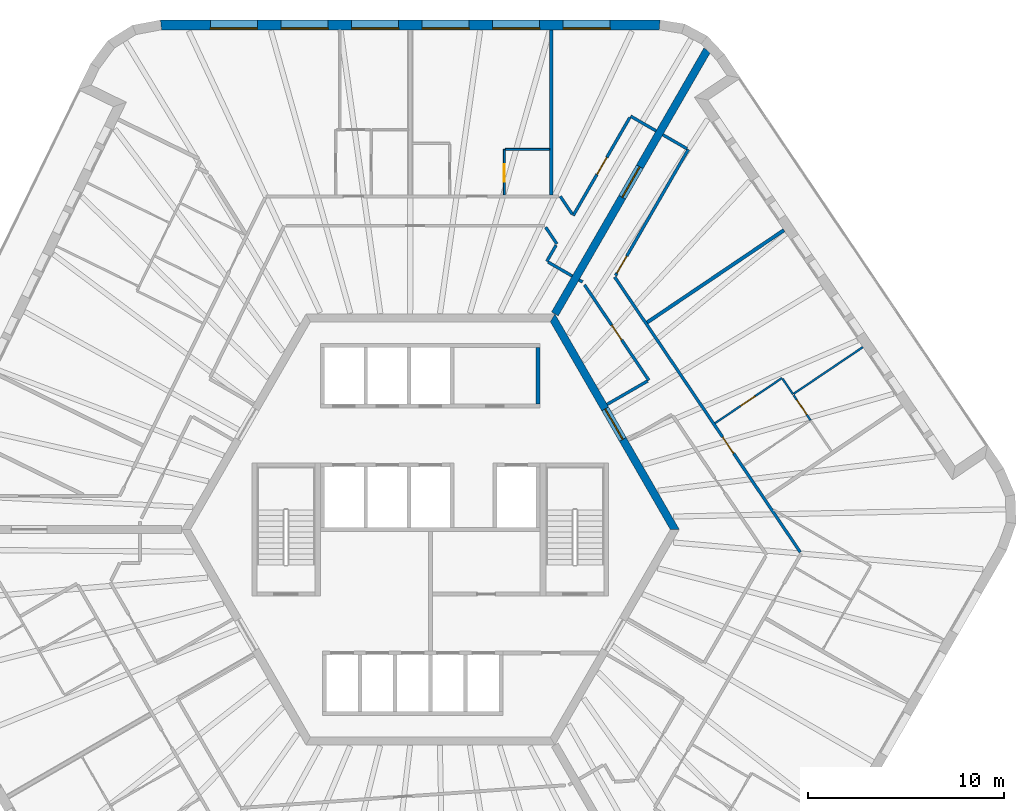
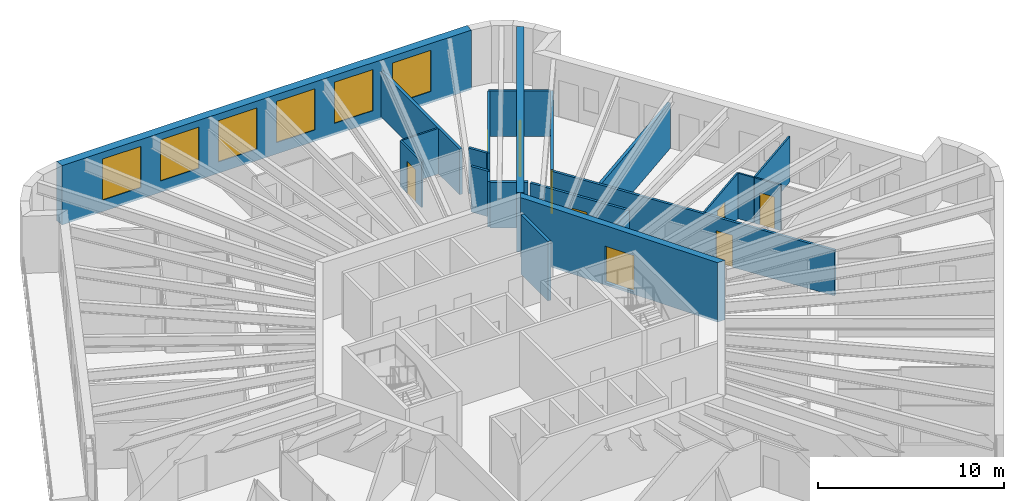
# One storey, part 10 of 12: 24 walls, 9 doors, 6 windows, 15 openings.
"""IFC4 building model written with IfcOpenShell, lengths in metres."""

from ifc_helpers import new_model, si_unit, direction, frame, frame_2d, origin, place, context, subcontext, project, spatial, polyline, rectangle, outline, extrude, material, layer, layer_set, type_object, element, fill, save


model = new_model("IFC4")

# Units and contexts
model_context = context("Model", 3, precision=1e-05, world=origin(), true_north=direction((0.0, 1.0)))
body_context = subcontext(model_context, "Body", "Model", "MODEL_VIEW")
ifc_project = project(units=[si_unit("LENGTHUNIT", "METRE"), si_unit("AREAUNIT", "SQUARE_METRE"), si_unit("VOLUMEUNIT", "CUBIC_METRE"), si_unit("PLANEANGLEUNIT", "RADIAN"), si_unit("MASSUNIT", "GRAM", prefix="KILO")], contexts=[model_context])

# Site, building, storey
site_placement = place(None, origin())
site = spatial("IfcSite", under=ifc_project, at=site_placement, CompositionType="ELEMENT")
building_placement = place(site_placement, origin())
building = spatial("IfcBuilding", under=site, at=building_placement, Name="Tarnside Tower", CompositionType="ELEMENT")
storey_placement = place(building_placement, frame((0.0, 0.0, 299.10009765625)))
storey = spatial("IfcBuildingStorey", under=building, at=storey_placement, Name="L72", CompositionType="ELEMENT", Elevation=299.10009765625)

# Wall, opening, door
ifc_material_1 = material(Name="Concrete C60/75", Category="concrete")
ifc_layer_1 = layer(ifc_material_1, 0.39990234375)
ifc_layer_set_1 = layer_set([ifc_layer_1], Name="Core wall Z3 400 C60/75")
wall_type_1 = type_object("IfcWallType", Name="Core wall Z3 400 C60/75", PredefinedType="SHEAR", material=ifc_layer_set_1)
wall_1_placement = place(storey_placement, frame((12.470703125, 0.0, -0.150146484375), z_axis=(0.0, 0.0, 1.0), x_axis=(-0.499996419489, 0.866027470984, 0.0)))
wall_1 = element("IfcWall", 1, at=wall_1_placement, inside=storey, type_object=wall_type_1, Name="L72 core wall face 6", PredefinedType="SHEAR", context=body_context, shape_type="SweptSolid", body=[
    extrude(outline(polyline([(-0.115478515625, -0.199951171875), (12.586181640625, -0.199951171875), (12.355224609375, 0.199951171875), (0.115478515625, 0.199951171875), (-0.115478515625, -0.199951171875)])), origin(), (0.0, 0.0, 1.0), 3.900146484375),
])
opening_1_placement = place(wall_1_placement, frame((5.306396484375, 0.0, 0.14990234375)))
opening_1 = element("IfcOpeningElement", 2, at=opening_1_placement, cuts=wall_1, Name="Opening CD-LOB", PredefinedType="OPENING", context=body_context, shape_type="SweptSolid", body=[
    extrude(rectangle(XDim=1.800048828125, YDim=2.39990234375, at=frame_2d((0.89990234375, 1.199951171875))), frame((0.0, 0.2099609375, 0.0), z_axis=(0.0, -1.0, 0.0), x_axis=(1.0, 0.0, 0.0)), (0.0, 0.0, 1.0), 0.419921875),
])
ifc_material_2 = material(Name="Steel fire door", Category="steel")
door_type_1 = type_object("IfcDoorType", Name="Lobby double door FD30S 1800x2400", OperationType="NOTDEFINED", PredefinedType="DOOR", material=ifc_material_2)
door_1_placement = place(opening_1_placement, origin())
door_1 = element("IfcDoor", 3, at=door_1_placement, inside=storey, type_object=door_type_1, Name="L72 core door P2", OperationType="DOUBLE_DOOR_SINGLE_SWING", OverallHeight=2.39990234375, OverallWidth=1.800048828125, PredefinedType="DOOR", context=body_context, shape_type="SweptSolid", body=[
    extrude(rectangle(XDim=1.800048828125, YDim=2.39990234375, at=frame_2d((0.89990234375, 1.199951171875))), frame((0.0, 0.02490234375, 0.0), z_axis=(0.0, -1.0, 0.0), x_axis=(1.0, 0.0, 0.0)), (0.0, 0.0, 1.0), 0.050048828125),
])
fill(opening_1, door_1)

wall_2_placement = place(storey_placement, frame((6.350830078125, 11.0, -0.150146484375), z_axis=(0.0, 0.0, 1.0), x_axis=(0.499998894578, 0.866026041999, 0.0)))
wall_2 = element("IfcWall", 4, at=wall_2_placement, inside=storey, type_object=wall_type_1, Name="L72 spine wall 1", PredefinedType="SHEAR", context=body_context, shape_type="SweptSolid", body=[
    extrude(rectangle(XDim=15.54443359375, YDim=0.39990234375, at=frame_2d((7.772216796875, 0.0))), origin(), (0.0, 0.0, 1.0), 3.900146484375),
])
opening_2_placement = place(wall_2_placement, frame((6.872314453125, 0.0, 0.14990234375)))
opening_2 = element("IfcOpeningElement", 5, at=opening_2_placement, cuts=wall_2, Name="Opening CD-SPN", PredefinedType="OPENING", context=body_context, shape_type="SweptSolid", body=[
    extrude(rectangle(XDim=1.800048828125, YDim=2.39990234375, at=frame_2d((0.89990234375, 1.199951171875))), frame((0.0, 0.2099609375, 0.0), z_axis=(0.0, -1.0, 0.0), x_axis=(1.0, 0.0, 0.0)), (0.0, 0.0, 1.0), 0.419921875),
])
door_type_2 = type_object("IfcDoorType", Name="Spine passage double door FD60 1800x2400", OperationType="NOTDEFINED", PredefinedType="DOOR", material=ifc_material_2)
door_2_placement = place(opening_2_placement, origin())
door_2 = element("IfcDoor", 6, at=door_2_placement, inside=storey, type_object=door_type_2, Name="L72 spine passage door 1", OperationType="DOUBLE_DOOR_SINGLE_SWING", OverallHeight=2.39990234375, OverallWidth=1.800048828125, PredefinedType="DOOR", context=body_context, shape_type="SweptSolid", body=[
    extrude(rectangle(XDim=1.800048828125, YDim=2.39990234375, at=frame_2d((0.89990234375, 1.199951171875))), frame((0.0, 0.02490234375, 0.0), z_axis=(0.0, -1.0, 0.0), x_axis=(1.0, 0.0, 0.0)), (0.0, 0.0, 1.0), 0.050048828125),
])
fill(opening_2, door_2)

# Wall
ifc_material_3 = material(Name="Gypsum board partition on steel studs", Category="steel")
ifc_layer_2 = layer(ifc_material_3, 0.14990234375)
ifc_layer_set_2 = layer_set([ifc_layer_2], Name="Corridor wall 150 EI 60")
wall_type_2 = type_object("IfcWallType", Name="Corridor wall 150 EI 60", PredefinedType="PARTITIONING", material=ifc_layer_set_2)
wall_3_placement = place(storey_placement, frame((11.513671875, 20.342529296875, 0.0), z_axis=(0.0, 0.0, 1.0), x_axis=(-0.866031096941, 0.499990139034, 0.0)))
element("IfcWall", 7, at=wall_3_placement, inside=storey, type_object=wall_type_2, Name="Corridor wall 23001", PredefinedType="PARTITIONING", context=body_context, shape_type="SweptSolid", body=[
    extrude(rectangle(XDim=1.5, YDim=0.14990234375, at=frame_2d((0.75, 0.0))), origin(), (0.0, 0.0, 1.0), 2.98779296875),
])

# Wall, opening, door
wall_4_placement = place(storey_placement, frame((10.17724609375, 21.02734375, 0.0), z_axis=(0.0, 0.0, 1.0), x_axis=(-0.500013707032, -0.866017489881, 0.0)))
wall_4 = element("IfcWall", 8, at=wall_4_placement, inside=storey, type_object=wall_type_2, Name="Corridor wall 23002", PredefinedType="PARTITIONING", context=body_context, shape_type="SweptSolid", body=[
    extrude(rectangle(XDim=5.780517578125, YDim=0.14990234375, at=frame_2d((2.89013671875, 0.0))), origin(), (0.0, 0.0, 1.0), 2.98779296875),
])
opening_3_placement = place(wall_4_placement, frame((2.352783203125, 0.0, 0.0)))
opening_3 = element("IfcOpeningElement", 9, at=opening_3_placement, cuts=wall_4, Name="Opening D-E1", PredefinedType="OPENING", context=body_context, shape_type="SweptSolid", body=[
    extrude(rectangle(XDim=1.0, YDim=2.10009765625, at=frame_2d((0.5, 1.050048828125))), frame((0.0, 0.0849609375, 0.0), z_axis=(0.0, -1.0, 0.0), x_axis=(1.0, 0.0, 0.0)), (0.0, 0.0, 1.0), 0.169921875),
])
ifc_material_4 = material(Name="Timber door leaf", Category="wood")
door_type_3 = type_object("IfcDoorType", Name="Unit entrance door 1000 FD30S", OperationType="NOTDEFINED", PredefinedType="DOOR", material=ifc_material_4)
door_3_placement = place(opening_3_placement, origin())
door_3 = element("IfcDoor", 10, at=door_3_placement, inside=storey, type_object=door_type_3, Name="Unit door 23001", OperationType="SINGLE_SWING_RIGHT", OverallHeight=2.10009765625, OverallWidth=1.0, PredefinedType="DOOR", context=body_context, shape_type="SweptSolid", body=[
    extrude(rectangle(XDim=1.0, YDim=2.10009765625, at=frame_2d((0.5, 1.050048828125))), frame((0.0, 0.02490234375, 0.0), z_axis=(0.0, -1.0, 0.0), x_axis=(1.0, 0.0, 0.0)), (0.0, 0.0, 1.0), 0.050048828125),
])
fill(opening_3, door_3)

# Walls
wall_5_placement = place(storey_placement, frame((7.240234375, 16.09033203125, 0.0), z_axis=(0.0, 0.0, 1.0), x_axis=(-0.559159452146, 0.829060134777, 0.0)))
element("IfcWall", 11, at=wall_5_placement, inside=storey, type_object=wall_type_2, Name="Corridor wall 23003", PredefinedType="PARTITIONING", context=body_context, shape_type="SweptSolid", body=[
    extrude(rectangle(XDim=1.09716796875, YDim=0.14990234375, at=frame_2d((0.548583984375, 0.0))), origin(), (0.0, 0.0, 1.0), 2.98779296875),
])
wall_6_placement = place(storey_placement, frame((5.879638671875, 15.425048828125, 0.0), z_axis=(0.0, 0.0, 1.0), x_axis=(0.559202631314, -0.829031010959, 0.0)))
element("IfcWall", 12, at=wall_6_placement, inside=storey, type_object=wall_type_2, Name="Corridor wall 23022", PredefinedType="PARTITIONING", context=body_context, shape_type="SweptSolid", body=[
    extrude(rectangle(XDim=1.024169921875, YDim=0.14990234375, at=frame_2d((0.51220703125, 0.0))), origin(), (0.0, 0.0, 1.0), 2.98779296875),
])
wall_7_placement = place(storey_placement, frame((6.41064453125, 14.503662109375, 0.0), z_axis=(0.0, 0.0, 1.0), x_axis=(-0.499998034377, -0.866026538634, 0.0)))
element("IfcWall", 13, at=wall_7_placement, inside=storey, type_object=wall_type_2, Name="Corridor wall 23023", PredefinedType="PARTITIONING", context=body_context, shape_type="SweptSolid", body=[
    extrude(rectangle(XDim=0.94580078125, YDim=0.14990234375, at=frame_2d((0.472900390625, 0.0))), origin(), (0.0, 0.0, 1.0), 2.98779296875),
])
wall_8_placement = place(storey_placement, frame((6.002685546875, 13.647216796875, 0.0), z_axis=(0.0, 0.0, 1.0), x_axis=(0.865988727248, -0.500063520245, 0.0)))
element("IfcWall", 14, at=wall_8_placement, inside=storey, type_object=wall_type_2, Name="Corridor wall 23024", PredefinedType="PARTITIONING", context=body_context, shape_type="SweptSolid", body=[
    extrude(rectangle(XDim=1.425048828125, YDim=0.14990234375, at=frame_2d((0.71240234375, 0.0))), origin(), (0.0, 0.0, 1.0), 2.98779296875),
])

# Wall, opening, door
wall_9_placement = place(storey_placement, frame((18.87451171875, -1.158203125, 0.0), z_axis=(0.0, 0.0, 1.0), x_axis=(-0.55919880344, 0.829033592945, 0.0)))
wall_9 = element("IfcWall", 15, at=wall_9_placement, inside=storey, type_object=wall_type_2, Name="Corridor wall 23059", PredefinedType="PARTITIONING", context=body_context, shape_type="SweptSolid", body=[
    extrude(rectangle(XDim=16.939208984375, YDim=0.14990234375, at=frame_2d((8.4697265625, 0.0))), origin(), (0.0, 0.0, 1.0), 2.98779296875),
])
opening_4_placement = place(wall_9_placement, frame((6.090087890625, 0.0, 0.0)))
opening_4 = element("IfcOpeningElement", 16, at=opening_4_placement, cuts=wall_9, Name="Opening D-E1", PredefinedType="OPENING", context=body_context, shape_type="SweptSolid", body=[
    extrude(rectangle(XDim=1.0, YDim=2.10009765625, at=frame_2d((0.5, 1.050048828125))), frame((0.0, 0.0849609375, 0.0), z_axis=(0.0, -1.0, 0.0), x_axis=(1.0, 0.0, 0.0)), (0.0, 0.0, 1.0), 0.169921875),
])
door_4_placement = place(opening_4_placement, origin())
door_4 = element("IfcDoor", 17, at=door_4_placement, inside=storey, type_object=door_type_3, Name="Unit door 23051", OperationType="SINGLE_SWING_LEFT", OverallHeight=2.10009765625, OverallWidth=1.0, PredefinedType="DOOR", context=body_context, shape_type="SweptSolid", body=[
    extrude(rectangle(XDim=1.0, YDim=2.10009765625, at=frame_2d((0.5, 1.050048828125))), frame((0.0, 0.02490234375, 0.0), z_axis=(0.0, -1.0, 0.0), x_axis=(1.0, 0.0, 0.0)), (0.0, 0.0, 1.0), 0.050048828125),
])
fill(opening_4, door_4)

wall_10_placement = place(storey_placement, frame((9.44384765625, 12.957275390625, 0.0), z_axis=(0.0, 0.0, 1.0), x_axis=(0.500004967958, 0.866022535513, 0.0)))
wall_10 = element("IfcWall", 18, at=wall_10_placement, inside=storey, type_object=wall_type_2, Name="Corridor wall 23067", PredefinedType="PARTITIONING", context=body_context, shape_type="SweptSolid", body=[
    extrude(rectangle(XDim=7.4306640625, YDim=0.14990234375, at=frame_2d((3.71533203125, 0.0))), origin(), (0.0, 0.0, 1.0), 2.98779296875),
])
opening_5_placement = place(wall_10_placement, frame((0.14990234375, 0.0, 0.0)))
opening_5 = element("IfcOpeningElement", 19, at=opening_5_placement, cuts=wall_10, Name="Opening D-E1", PredefinedType="OPENING", context=body_context, shape_type="SweptSolid", body=[
    extrude(rectangle(XDim=1.0, YDim=2.10009765625, at=frame_2d((0.5, 1.050048828125))), frame((0.0, 0.0849609375, 0.0), z_axis=(0.0, -1.0, 0.0), x_axis=(1.0, 0.0, 0.0)), (0.0, 0.0, 1.0), 0.169921875),
])
door_5_placement = place(opening_5_placement, origin())
door_5 = element("IfcDoor", 20, at=door_5_placement, inside=storey, type_object=door_type_3, Name="Unit door 23055", OperationType="SINGLE_SWING_RIGHT", OverallHeight=2.10009765625, OverallWidth=1.0, PredefinedType="DOOR", context=body_context, shape_type="SweptSolid", body=[
    extrude(rectangle(XDim=1.0, YDim=2.10009765625, at=frame_2d((0.5, 1.050048828125))), frame((0.0, 0.02490234375, 0.0), z_axis=(0.0, -1.0, 0.0), x_axis=(1.0, 0.0, 0.0)), (0.0, 0.0, 1.0), 0.050048828125),
])
fill(opening_5, door_5)

# Walls
wall_11_placement = place(storey_placement, frame((13.09423828125, 19.429931640625, 0.0), z_axis=(0.0, 0.0, 1.0), x_axis=(-0.866062911188, 0.499935029643, 0.0)))
element("IfcWall", 21, at=wall_11_placement, inside=storey, type_object=wall_type_2, Name="Corridor wall 23068", PredefinedType="PARTITIONING", context=body_context, shape_type="SweptSolid", body=[
    extrude(rectangle(XDim=1.425048828125, YDim=0.14990234375, at=frame_2d((0.71240234375, 0.0))), origin(), (0.0, 0.0, 1.0), 2.98779296875),
])
wall_12_placement = place(storey_placement, frame((7.583251953125, 12.734619140625, 0.0), z_axis=(0.0, 0.0, 1.0), x_axis=(0.866088799389, -0.499890179513, 0.0)))
element("IfcWall", 22, at=wall_12_placement, inside=storey, type_object=wall_type_2, Name="Corridor wall 23078", PredefinedType="PARTITIONING", context=body_context, shape_type="SweptSolid", body=[
    extrude(rectangle(XDim=0.2099609375, YDim=0.14990234375, at=frame_2d((0.10498046875, 0.0))), origin(), (0.0, 0.0, 1.0), 2.98779296875),
])

# Wall, opening, door
wall_13_placement = place(storey_placement, frame((7.86083984375, 12.48779296875, 0.0), z_axis=(0.0, 0.0, 1.0), x_axis=(0.559178186788, -0.829047498893, 0.0)))
wall_13 = element("IfcWall", 23, at=wall_13_placement, inside=storey, type_object=wall_type_2, Name="Corridor wall 23079", PredefinedType="PARTITIONING", context=body_context, shape_type="SweptSolid", body=[
    extrude(rectangle(XDim=5.877685546875, YDim=0.14990234375, at=frame_2d((2.93896484375, 0.0))), origin(), (0.0, 0.0, 1.0), 2.98779296875),
])
opening_6_placement = place(wall_13_placement, frame((2.48876953125, 0.0, 0.0)))
opening_6 = element("IfcOpeningElement", 24, at=opening_6_placement, cuts=wall_13, Name="Opening D-S1", PredefinedType="OPENING", context=body_context, shape_type="SweptSolid", body=[
    extrude(rectangle(XDim=0.89990234375, YDim=2.10009765625, at=frame_2d((0.449951171875, 1.050048828125))), frame((0.0, 0.0849609375, 0.0), z_axis=(0.0, -1.0, 0.0), x_axis=(1.0, 0.0, 0.0)), (0.0, 0.0, 1.0), 0.169921875),
])
door_type_4 = type_object("IfcDoorType", Name="Service room door 900 FD30S", OperationType="NOTDEFINED", PredefinedType="DOOR", material=ifc_material_4)
door_6_placement = place(opening_6_placement, origin())
door_6 = element("IfcDoor", 25, at=door_6_placement, inside=storey, type_object=door_type_4, Name="Service door 23064", OperationType="SINGLE_SWING_RIGHT", OverallHeight=2.10009765625, OverallWidth=0.89990234375, PredefinedType="DOOR", context=body_context, shape_type="SweptSolid", body=[
    extrude(rectangle(XDim=0.89990234375, YDim=2.10009765625, at=frame_2d((0.449951171875, 1.050048828125))), frame((0.0, 0.02490234375, 0.0), z_axis=(0.0, -1.0, 0.0), x_axis=(1.0, 0.0, 0.0)), (0.0, 0.0, 1.0), 0.050048828125),
])
fill(opening_6, door_6)

# Walls
wall_14_placement = place(storey_placement, frame((11.082275390625, 7.57763671875, 0.0), z_axis=(0.0, 0.0, 1.0), x_axis=(-0.865993065409, -0.500056007527, 0.0)))
element("IfcWall", 26, at=wall_14_placement, inside=storey, type_object=wall_type_2, Name="Corridor wall 23080", PredefinedType="PARTITIONING", context=body_context, shape_type="SweptSolid", body=[
    extrude(rectangle(XDim=2.386474609375, YDim=0.14990234375, at=frame_2d((1.193359375, 0.0))), origin(), (0.0, 0.0, 1.0), 2.98779296875),
])
ifc_layer_3 = layer(ifc_material_3, 0.179931640625)
ifc_layer_set_3 = layer_set([ifc_layer_3], Name="Demising wall 180 EI 60")
wall_type_3 = type_object("IfcWallType", Name="Demising wall 180 EI 60", PredefinedType="PARTITIONING", material=ifc_layer_set_3)
for number, where, z_axis, x_axis, name in (
    (27, (6.17529296875, 25.5, 0.0), (0.0, 0.0, 1.0), (0.0, -1.0, 0.0), "Demising wall 23081"),
    (28, (18.042236328125, 15.276123046875, 0.0), (0.0, 0.0, 1.0), (-0.829037762759, -0.559192621481, 0.0), "Demising wall 23160"),
):
    element("IfcWall", number, at=place(storey_placement, frame(where, z_axis=z_axis, x_axis=x_axis)), inside=storey, type_object=wall_type_3, Name=name, PredefinedType="PARTITIONING", context=body_context, shape_type="SweptSolid", body=[
        extrude(rectangle(XDim=8.425048828125, YDim=0.179931640625, at=frame_2d((4.21240234375, 0.0))), origin(), (0.0, 0.0, 1.0), 2.98779296875),
    ])
ifc_material_5 = material(Name="Concrete C40/50", Category="concrete")
ifc_layer_4 = layer(ifc_material_5, 0.199951171875)
ifc_layer_set_4 = layer_set([ifc_layer_4], Name="Lift shaft wall 200 C40/50")
wall_type_4 = type_object("IfcWallType", Name="Lift shaft wall 200 C40/50", PredefinedType="SHEAR", material=ifc_layer_set_4)
wall_15_placement = place(storey_placement, frame((5.5, 6.39990234375, -0.25), z_axis=(0.0, 0.0, 1.0), x_axis=(0.0, 1.0, 0.0)))
element("IfcWall", 29, at=wall_15_placement, inside=storey, type_object=wall_type_4, Name="L72 lift shaft partition R16", PredefinedType="SHEAR", context=body_context, shape_type="SweptSolid", body=[
    extrude(rectangle(XDim=2.900146484375, YDim=0.199951171875, at=frame_2d((1.4501953125, 0.0))), origin(), (0.0, 0.0, 1.0), 3.89990234375),
])

# Wall, opening, door
ifc_layer_5 = layer(ifc_material_3, 0.10009765625)
ifc_layer_set_5 = layer_set([ifc_layer_5], Name="Partition 100")
wall_type_5 = type_object("IfcWallType", Name="Partition 100", PredefinedType="PARTITIONING", material=ifc_layer_set_5)
wall_16_placement = place(storey_placement, frame((3.775146484375, 17.074951171875, 0.0), z_axis=(0.0, 0.0, 1.0), x_axis=(0.0, 1.0, 0.0)))
wall_16 = element("IfcWall", 30, at=wall_16_placement, inside=storey, type_object=wall_type_5, Name="Partition wall 23085", PredefinedType="PARTITIONING", context=body_context, shape_type="SweptSolid", body=[
    extrude(rectangle(XDim=2.324951171875, YDim=0.10009765625, at=frame_2d((1.16259765625, 0.0))), origin(), (0.0, 0.0, 1.0), 2.98779296875),
])
opening_7_placement = place(wall_16_placement, frame((0.675048828125, 0.0, 0.0)))
opening_7 = element("IfcOpeningElement", 31, at=opening_7_placement, cuts=wall_16, Name="Opening D-I1", PredefinedType="OPENING", context=body_context, shape_type="SweptSolid", body=[
    extrude(rectangle(XDim=0.89990234375, YDim=2.10009765625, at=frame_2d((0.449951171875, 1.050048828125))), frame((0.0, 0.06005859375, 0.0), z_axis=(0.0, -1.0, 0.0), x_axis=(1.0, 0.0, 0.0)), (0.0, 0.0, 1.0), 0.1201171875),
])
door_type_5 = type_object("IfcDoorType", Name="Internal door 900", OperationType="NOTDEFINED", PredefinedType="DOOR", material=ifc_material_4)
door_7_placement = place(opening_7_placement, origin())
door_7 = element("IfcDoor", 32, at=door_7_placement, inside=storey, type_object=door_type_5, Name="Internal door 23004", OperationType="SINGLE_SWING_RIGHT", OverallHeight=2.10009765625, OverallWidth=0.89990234375, PredefinedType="DOOR", context=body_context, shape_type="SweptSolid", body=[
    extrude(rectangle(XDim=0.89990234375, YDim=2.10009765625, at=frame_2d((0.449951171875, 1.050048828125))), frame((0.0, 0.02490234375, 0.0), z_axis=(0.0, -1.0, 0.0), x_axis=(1.0, 0.0, 0.0)), (0.0, 0.0, 1.0), 0.050048828125),
])
fill(opening_7, door_7)

# Wall
wall_17_placement = place(storey_placement, frame((3.8251953125, 19.39990234375, 0.0), z_axis=(0.0, 0.0, 1.0), x_axis=(1.0, 0.0, 0.0)))
element("IfcWall", 33, at=wall_17_placement, inside=storey, type_object=wall_type_5, Name="Partition wall 23086", PredefinedType="PARTITIONING", context=body_context, shape_type="SweptSolid", body=[
    extrude(rectangle(XDim=2.260009765625, YDim=0.10009765625, at=frame_2d((1.1298828125, 0.0))), origin(), (0.0, 0.0, 1.0), 2.98779296875),
])

# Wall, opening, door
wall_18_placement = place(storey_placement, frame((14.524658203125, 5.4248046875, 0.0), z_axis=(0.0, 0.0, 1.0), x_axis=(0.829033204172, 0.559199379811, 0.0)))
wall_18 = element("IfcWall", 34, at=wall_18_placement, inside=storey, type_object=wall_type_5, Name="Partition wall 23157", PredefinedType="PARTITIONING", context=body_context, shape_type="SweptSolid", body=[
    extrude(rectangle(XDim=4.125, YDim=0.10009765625, at=frame_2d((2.0625, 0.0))), origin(), (0.0, 0.0, 1.0), 2.98779296875),
])
opening_8_placement = place(wall_18_placement, frame((1.574951171875, 0.0, 0.0)))
opening_8 = element("IfcOpeningElement", 35, at=opening_8_placement, cuts=wall_18, Name="Opening D-I1", PredefinedType="OPENING", context=body_context, shape_type="SweptSolid", body=[
    extrude(rectangle(XDim=0.89990234375, YDim=2.10009765625, at=frame_2d((0.449951171875, 1.050048828125))), frame((0.0, 0.06005859375, 0.0), z_axis=(0.0, -1.0, 0.0), x_axis=(1.0, 0.0, 0.0)), (0.0, 0.0, 1.0), 0.1201171875),
])
door_8_placement = place(opening_8_placement, origin())
door_8 = element("IfcDoor", 36, at=door_8_placement, inside=storey, type_object=door_type_5, Name="Internal door 23053", OperationType="SINGLE_SWING_RIGHT", OverallHeight=2.10009765625, OverallWidth=0.89990234375, PredefinedType="DOOR", context=body_context, shape_type="SweptSolid", body=[
    extrude(rectangle(XDim=0.89990234375, YDim=2.10009765625, at=frame_2d((0.449951171875, 1.050048828125))), frame((0.0, 0.02490234375, 0.0), z_axis=(0.0, -1.0, 0.0), x_axis=(1.0, 0.0, 0.0)), (0.0, 0.0, 1.0), 0.050048828125),
])
fill(opening_8, door_8)

# Walls
wall_19_placement = place(storey_placement, frame((17.972412109375, 7.68994140625, 0.0), z_axis=(0.0, 0.0, 1.0), x_axis=(0.55919087136, -0.829038943227, 0.0)))
element("IfcWall", 37, at=wall_19_placement, inside=storey, type_object=wall_type_5, Name="Partition wall 23158", PredefinedType="PARTITIONING", context=body_context, shape_type="SweptSolid", body=[
    extrude(rectangle(XDim=0.95166015625, YDim=0.10009765625, at=frame_2d((0.475830078125, 0.0))), origin(), (0.0, 0.0, 1.0), 2.98779296875),
])
wall_20_placement = place(storey_placement, frame((18.545166015625, 6.930419921875, 0.0), z_axis=(0.0, 0.0, 1.0), x_axis=(0.829051072067, 0.5591728891, 0.0)))
element("IfcWall", 38, at=wall_20_placement, inside=storey, type_object=wall_type_5, Name="Partition wall 23159", PredefinedType="PARTITIONING", context=body_context, shape_type="SweptSolid", body=[
    extrude(rectangle(XDim=4.25, YDim=0.10009765625, at=frame_2d((2.125, 0.0))), origin(), (0.0, 0.0, 1.0), 2.98779296875),
])

# Wall, opening, door
wall_21_placement = place(storey_placement, frame((19.3994140625, 5.57421875, 0.0), z_axis=(0.0, 0.0, 1.0), x_axis=(-0.559156753744, 0.829061954707, 0.0)))
wall_21 = element("IfcWall", 39, at=wall_21_placement, inside=storey, type_object=wall_type_5, Name="Partition wall 23162", PredefinedType="PARTITIONING", context=body_context, shape_type="SweptSolid", body=[
    extrude(rectangle(XDim=1.55224609375, YDim=0.10009765625, at=frame_2d((0.776123046875, 0.0))), origin(), (0.0, 0.0, 1.0), 2.98779296875),
])
opening_9_placement = place(wall_21_placement, frame((0.35205078125, 0.0, 0.0)))
opening_9 = element("IfcOpeningElement", 40, at=opening_9_placement, cuts=wall_21, Name="Opening D-I1", PredefinedType="OPENING", context=body_context, shape_type="SweptSolid", body=[
    extrude(rectangle(XDim=0.89990234375, YDim=2.10009765625, at=frame_2d((0.449951171875, 1.050048828125))), frame((0.0, 0.06005859375, 0.0), z_axis=(0.0, -1.0, 0.0), x_axis=(1.0, 0.0, 0.0)), (0.0, 0.0, 1.0), 0.1201171875),
])
door_9_placement = place(opening_9_placement, origin())
door_9 = element("IfcDoor", 41, at=door_9_placement, inside=storey, type_object=door_type_5, Name="Internal door 23054", OperationType="SINGLE_SWING_LEFT", OverallHeight=2.10009765625, OverallWidth=0.89990234375, PredefinedType="DOOR", context=body_context, shape_type="SweptSolid", body=[
    extrude(rectangle(XDim=0.89990234375, YDim=2.10009765625, at=frame_2d((0.449951171875, 1.050048828125))), frame((0.0, 0.02490234375, 0.0), z_axis=(0.0, -1.0, 0.0), x_axis=(1.0, 0.0, 0.0)), (0.0, 0.0, 1.0), 0.050048828125),
])
fill(opening_9, door_9)

# Wall, openings, windows
ifc_material_6 = material(Name="Facing brick", Category="masonry")
ifc_layer_6 = layer(ifc_material_6, 0.10205078125)
ifc_material_7 = material(Name="Concrete C60/75 precast", Category="concrete")
ifc_layer_7 = layer(ifc_material_7, 0.298095703125)
ifc_material_8 = material(Name="Mineral wool insulation")
ifc_layer_8 = layer(ifc_material_8, 0.10009765625)
ifc_layer_set_6 = layer_set([ifc_layer_6, ifc_layer_7, ifc_layer_8], Name="Tube wall 500 brick faced")
wall_type_6 = type_object("IfcWallType", Name="Tube wall 500 brick faced", PredefinedType="SOLIDWALL", material=ifc_layer_set_6)
wall_22_placement = place(storey_placement, frame((11.697509765625, 25.75, -0.150146484375), z_axis=(0.0, 0.0, 1.0), x_axis=(-1.0, 0.0, 0.0)))
wall_22 = element("IfcWall", 42, at=wall_22_placement, inside=storey, type_object=wall_type_6, Name="Tube wall L72 F1 flush 00", PredefinedType="SOLIDWALL", context=body_context, shape_type="SweptSolid", body=[
    extrude(outline(polyline([(-0.0205078125, -0.25), (25.468017578125, -0.25), (25.421142578125, 0.25), (0.0205078125, 0.25), (-0.0205078125, -0.25)])), origin(), (0.0, 0.0, 1.0), 3.900146484375),
])
opening_10_placement = place(wall_22_placement, frame((2.5224609375, 0.0, 0.75)))
opening_10 = element("IfcOpeningElement", 43, at=opening_10_placement, cuts=wall_22, Name="Opening WR", PredefinedType="OPENING", context=body_context, shape_type="SweptSolid", body=[
    extrude(rectangle(XDim=2.39990234375, YDim=2.699951171875, at=frame_2d((1.199951171875, 1.35009765625))), frame((0.0, 0.260009765625, 0.0), z_axis=(0.0, -1.0, 0.0), x_axis=(1.0, 0.0, 0.0)), (0.0, 0.0, 1.0), 0.52001953125),
])
opening_11_placement = place(wall_22_placement, frame((6.122314453125, 0.0, 0.75)))
opening_11 = element("IfcOpeningElement", 44, at=opening_11_placement, cuts=wall_22, Name="Opening WR", PredefinedType="OPENING", context=body_context, shape_type="SweptSolid", body=[
    extrude(rectangle(XDim=2.39990234375, YDim=2.699951171875, at=frame_2d((1.199951171875, 1.35009765625))), frame((0.0, 0.260009765625, 0.0), z_axis=(0.0, -1.0, 0.0), x_axis=(1.0, 0.0, 0.0)), (0.0, 0.0, 1.0), 0.52001953125),
])
opening_12_placement = place(wall_22_placement, frame((9.722412109375, 0.0, 0.75)))
opening_12 = element("IfcOpeningElement", 45, at=opening_12_placement, cuts=wall_22, Name="Opening WR", PredefinedType="OPENING", context=body_context, shape_type="SweptSolid", body=[
    extrude(rectangle(XDim=2.39990234375, YDim=2.699951171875, at=frame_2d((1.199951171875, 1.35009765625))), frame((0.0, 0.260009765625, 0.0), z_axis=(0.0, -1.0, 0.0), x_axis=(1.0, 0.0, 0.0)), (0.0, 0.0, 1.0), 0.52001953125),
])
opening_13_placement = place(wall_22_placement, frame((13.322509765625, 0.0, 0.75)))
opening_13 = element("IfcOpeningElement", 46, at=opening_13_placement, cuts=wall_22, Name="Opening WR", PredefinedType="OPENING", context=body_context, shape_type="SweptSolid", body=[
    extrude(rectangle(XDim=2.39990234375, YDim=2.699951171875, at=frame_2d((1.199951171875, 1.35009765625))), frame((0.0, 0.260009765625, 0.0), z_axis=(0.0, -1.0, 0.0), x_axis=(1.0, 0.0, 0.0)), (0.0, 0.0, 1.0), 0.52001953125),
])
opening_14_placement = place(wall_22_placement, frame((16.92236328125, 0.0, 0.75)))
opening_14 = element("IfcOpeningElement", 47, at=opening_14_placement, cuts=wall_22, Name="Opening WR", PredefinedType="OPENING", context=body_context, shape_type="SweptSolid", body=[
    extrude(rectangle(XDim=2.39990234375, YDim=2.699951171875, at=frame_2d((1.199951171875, 1.35009765625))), frame((0.0, 0.260009765625, 0.0), z_axis=(0.0, -1.0, 0.0), x_axis=(1.0, 0.0, 0.0)), (0.0, 0.0, 1.0), 0.52001953125),
])
opening_15_placement = place(wall_22_placement, frame((20.5224609375, 0.0, 0.75)))
opening_15 = element("IfcOpeningElement", 48, at=opening_15_placement, cuts=wall_22, Name="Opening WR", PredefinedType="OPENING", context=body_context, shape_type="SweptSolid", body=[
    extrude(rectangle(XDim=2.39990234375, YDim=2.699951171875, at=frame_2d((1.199951171875, 1.35009765625))), frame((0.0, 0.260009765625, 0.0), z_axis=(0.0, -1.0, 0.0), x_axis=(1.0, 0.0, 0.0)), (0.0, 0.0, 1.0), 0.52001953125),
])
ifc_material_9 = material(Name="Aluminium-framed double glazing", Category="aluminium")
window_type = type_object("IfcWindowType", Name="Residence window 2400 x 2700", PartitioningType="DOUBLE_PANEL_VERTICAL", PredefinedType="WINDOW", material=ifc_material_9)
window_1_placement = place(opening_10_placement, frame((0.0, 0.179931640625, 0.0)))
window_1 = element("IfcWindow", 49, at=window_1_placement, inside=storey, type_object=window_type, Name="E.WN.L72.F1.00", OverallHeight=2.699951171875, OverallWidth=2.39990234375, PartitioningType="DOUBLE_PANEL_VERTICAL", PredefinedType="WINDOW", context=body_context, shape_type="SweptSolid", body=[
    extrude(rectangle(XDim=2.39990234375, YDim=2.699951171875, at=frame_2d((1.199951171875, 1.35009765625))), frame((0.0, 0.030029296875, 0.0), z_axis=(0.0, -1.0, 0.0), x_axis=(1.0, 0.0, 0.0)), (0.0, 0.0, 1.0), 0.06005859375),
])
fill(opening_10, window_1)
window_2_placement = place(opening_11_placement, frame((0.0, 0.179931640625, 0.0)))
window_2 = element("IfcWindow", 50, at=window_2_placement, inside=storey, type_object=window_type, Name="E.WN.L72.F1.01", OverallHeight=2.699951171875, OverallWidth=2.39990234375, PartitioningType="DOUBLE_PANEL_VERTICAL", PredefinedType="WINDOW", context=body_context, shape_type="SweptSolid", body=[
    extrude(rectangle(XDim=2.39990234375, YDim=2.699951171875, at=frame_2d((1.199951171875, 1.35009765625))), frame((0.0, 0.030029296875, 0.0), z_axis=(0.0, -1.0, 0.0), x_axis=(1.0, 0.0, 0.0)), (0.0, 0.0, 1.0), 0.06005859375),
])
fill(opening_11, window_2)
window_3_placement = place(opening_12_placement, frame((0.0, 0.179931640625, 0.0)))
window_3 = element("IfcWindow", 51, at=window_3_placement, inside=storey, type_object=window_type, Name="E.WN.L72.F1.02", OverallHeight=2.699951171875, OverallWidth=2.39990234375, PartitioningType="DOUBLE_PANEL_VERTICAL", PredefinedType="WINDOW", context=body_context, shape_type="SweptSolid", body=[
    extrude(rectangle(XDim=2.39990234375, YDim=2.699951171875, at=frame_2d((1.199951171875, 1.35009765625))), frame((0.0, 0.030029296875, 0.0), z_axis=(0.0, -1.0, 0.0), x_axis=(1.0, 0.0, 0.0)), (0.0, 0.0, 1.0), 0.06005859375),
])
fill(opening_12, window_3)
window_4_placement = place(opening_13_placement, frame((0.0, 0.179931640625, 0.0)))
window_4 = element("IfcWindow", 52, at=window_4_placement, inside=storey, type_object=window_type, Name="E.WN.L72.F1.03", OverallHeight=2.699951171875, OverallWidth=2.39990234375, PartitioningType="DOUBLE_PANEL_VERTICAL", PredefinedType="WINDOW", context=body_context, shape_type="SweptSolid", body=[
    extrude(rectangle(XDim=2.39990234375, YDim=2.699951171875, at=frame_2d((1.199951171875, 1.35009765625))), frame((0.0, 0.030029296875, 0.0), z_axis=(0.0, -1.0, 0.0), x_axis=(1.0, 0.0, 0.0)), (0.0, 0.0, 1.0), 0.06005859375),
])
fill(opening_13, window_4)
window_5_placement = place(opening_14_placement, frame((0.0, 0.179931640625, 0.0)))
window_5 = element("IfcWindow", 53, at=window_5_placement, inside=storey, type_object=window_type, Name="E.WN.L72.F1.04", OverallHeight=2.699951171875, OverallWidth=2.39990234375, PartitioningType="DOUBLE_PANEL_VERTICAL", PredefinedType="WINDOW", context=body_context, shape_type="SweptSolid", body=[
    extrude(rectangle(XDim=2.39990234375, YDim=2.699951171875, at=frame_2d((1.199951171875, 1.35009765625))), frame((0.0, 0.030029296875, 0.0), z_axis=(0.0, -1.0, 0.0), x_axis=(1.0, 0.0, 0.0)), (0.0, 0.0, 1.0), 0.06005859375),
])
fill(opening_14, window_5)
window_6_placement = place(opening_15_placement, frame((0.0, 0.179931640625, 0.0)))
window_6 = element("IfcWindow", 54, at=window_6_placement, inside=storey, type_object=window_type, Name="E.WN.L72.F1.05", OverallHeight=2.699951171875, OverallWidth=2.39990234375, PartitioningType="DOUBLE_PANEL_VERTICAL", PredefinedType="WINDOW", context=body_context, shape_type="SweptSolid", body=[
    extrude(rectangle(XDim=2.39990234375, YDim=2.699951171875, at=frame_2d((1.199951171875, 1.35009765625))), frame((0.0, 0.030029296875, 0.0), z_axis=(0.0, -1.0, 0.0), x_axis=(1.0, 0.0, 0.0)), (0.0, 0.0, 1.0), 0.06005859375),
])
fill(opening_15, window_6)

save(model, "model.ifc")
